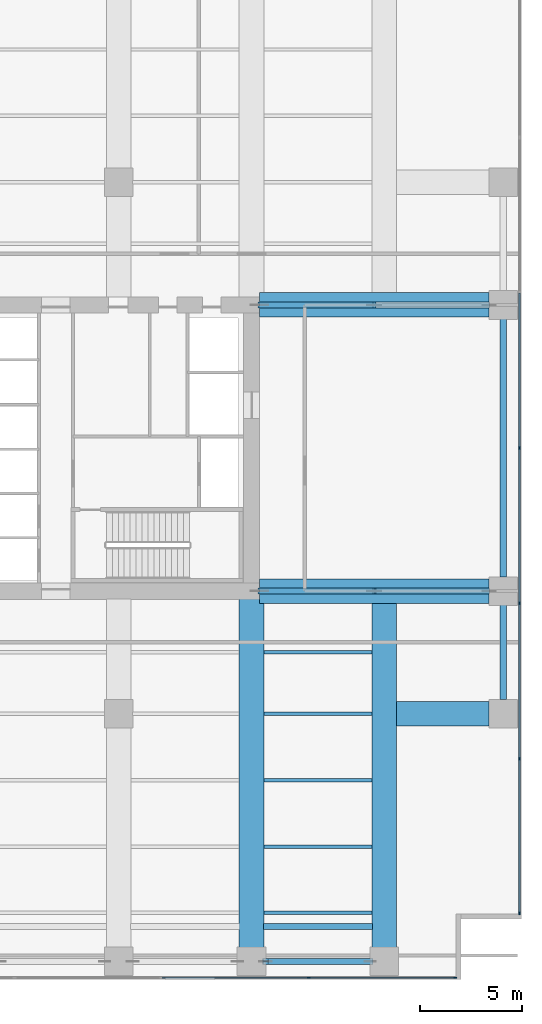
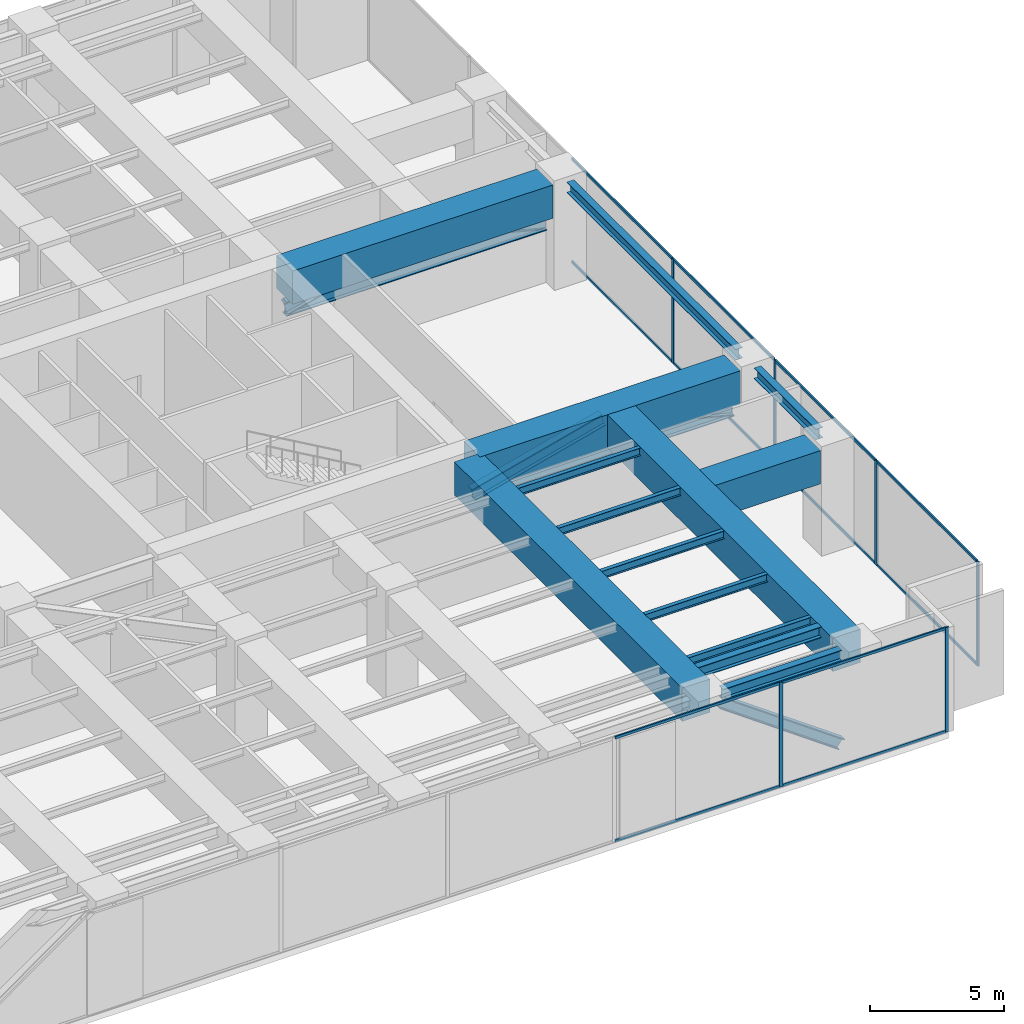
# One storey, part 13 of 31: 24 members, 14 beams, 2 elements without a shape of their own.
"""IFC4 building model written with IfcOpenShell, lengths in metres."""

import ifcopenshell
import ifcopenshell.guid

model = None  # the IFC model being written
_history = None  # IfcOwnerHistory: only IFC2X3 demands one
_inside = {}  # id of a spatial element -> (the spatial element, [elements in it])
_under = {}  # id of a project, library or spatial element -> (it, [spatial elements below it])
_declared = {}  # id of a project -> (the project, [libraries it declares])
_typed = {}  # id of a type object -> (the type object, [elements of that type])
_made_of = {}  # id of a material, layer set ... -> (it, [elements and type objects made of it])


def new_model(schema):
    """Start an empty IFC model of exactly this schema.

    Asked for "IFC4X3", IfcOpenShell would pick the latest addendum, in which some entities
    have other attributes; the version numbers below select the first issue.
    IFC2X3 requires an IfcOwnerHistory on every rooted entity: one is made here for all.
    """
    global model, _history
    if schema == "IFC4X3":
        model = ifcopenshell.file(schema_version=(4, 3, 0, 0))
    else:
        model = ifcopenshell.file(schema=schema)
    _inside.clear()
    _under.clear()
    _declared.clear()
    _typed.clear()
    _made_of.clear()
    _history = None
    if model.schema == "IFC2X3":
        org = make("IfcOrganization", Name="unknown")
        user = make(
            "IfcPersonAndOrganization",
            ThePerson=make("IfcPerson", FamilyName="unknown"),
            TheOrganization=org,
        )
        app = make(
            "IfcApplication",
            ApplicationDeveloper=org,
            Version="unknown",
            ApplicationFullName="unknown",
            ApplicationIdentifier="unknown",
        )
        _history = make(
            "IfcOwnerHistory",
            OwningUser=user,
            OwningApplication=app,
            ChangeAction="ADDED",
            CreationDate=0,
        )
    return model


def make(cls, **values):
    """One entity of the class cls with the attributes given. An attribute that is None is left unset."""
    return model.create_entity(
        cls, **{name: value for name, value in values.items() if value is not None}
    )


def rooted(cls, **values):
    """An entity with a GlobalId (a new one), such as an element, a storey or a relation."""
    return make(cls, GlobalId=ifcopenshell.guid.new(), OwnerHistory=_history, **values)


def si_unit(unit_type, name, prefix=None):
    """IfcSIUnit, for example si_unit("LENGTHUNIT", "METRE", prefix="MILLI")."""
    return make("IfcSIUnit", UnitType=unit_type, Prefix=prefix, Name=name)


def assignment(units):
    """IfcUnitAssignment: the units of a project."""
    return None if units is None else make("IfcUnitAssignment", Units=units)


def point(xyz):
    """IfcCartesianPoint."""
    return None if xyz is None else make("IfcCartesianPoint", Coordinates=xyz)


def direction(xyz):
    """IfcDirection."""
    return None if xyz is None else make("IfcDirection", DirectionRatios=xyz)


def frame(location, z_axis=None, x_axis=None):
    """IfcAxis2Placement3D, a coordinate frame: its origin and axes. An axis left out is left unset."""
    return make(
        "IfcAxis2Placement3D",
        Location=point(location),
        Axis=direction(z_axis),
        RefDirection=direction(x_axis),
    )


def frame_2d(location, x_axis=None):
    """IfcAxis2Placement2D, a coordinate frame in the plane: its origin and x axis."""
    return make(
        "IfcAxis2Placement2D", Location=point(location), RefDirection=direction(x_axis)
    )


def origin():
    """The frame at (0, 0, 0) with its axes left unset."""
    return frame((0.0, 0.0, 0.0))


def origin_2d():
    """The frame at (0, 0) in the plane with its x axis left unset."""
    return frame_2d((0.0, 0.0))


def place(relative_to, where):
    """IfcLocalPlacement: puts the frame where relative to a parent placement (None: the world)."""
    return make(
        "IfcLocalPlacement", PlacementRelTo=relative_to, RelativePlacement=where
    )


def context(
    kind, dimensions, precision=None, world=None, true_north=None, identifier=None
):
    """IfcGeometricRepresentationContext, for example the 3D "Model" context."""
    return make(
        "IfcGeometricRepresentationContext",
        ContextIdentifier=identifier,
        ContextType=kind,
        CoordinateSpaceDimension=dimensions,
        Precision=precision,
        WorldCoordinateSystem=world,
        TrueNorth=true_north,
    )


def subcontext(parent, identifier, kind, view, scale=None):
    """IfcGeometricRepresentationSubContext, for example "Body" below "Model"."""
    return make(
        "IfcGeometricRepresentationSubContext",
        ContextIdentifier=identifier,
        ContextType=kind,
        ParentContext=parent,
        TargetScale=scale,
        TargetView=view,
    )


def project(units=None, contexts=None):
    """IfcProject with its units and contexts."""
    return rooted(
        "IfcProject",
        Name="project",
        RepresentationContexts=contexts,
        UnitsInContext=assignment(units),
    )


def spatial(cls, under=None, at=None, **own):
    """A site, building, storey or space (cls), placed at a placement, below another one or the project."""
    s = rooted(cls, ObjectPlacement=at, **own)
    if under is not None:
        _under.setdefault(under.id(), (under, []))[1].append(s)
    return s


def profile(cls, at=None, kind="AREA", **sizes):
    """A parametric profile (cls). Its sizes go by their IFC names, for example OverallWidth=200.0."""
    return make(cls, ProfileType=kind, Position=at, **sizes)


def rectangle(**sizes):
    """IfcRectangleProfileDef."""
    return profile("IfcRectangleProfileDef", **sizes)


def i_section(**sizes):
    """IfcIShapeProfileDef."""
    return profile("IfcIShapeProfileDef", **sizes)


def extrude(swept, where, along, depth):
    """IfcExtrudedAreaSolid: the profile swept, set in the frame where, extruded along a direction by depth."""
    return make(
        "IfcExtrudedAreaSolid",
        SweptArea=swept,
        Position=where,
        ExtrudedDirection=direction(along),
        Depth=depth,
    )


def shape(context_of_items, identifier, shape_type, items):
    """IfcShapeRepresentation: the items that make up one representation, for example the "Body"."""
    return make(
        "IfcShapeRepresentation",
        ContextOfItems=context_of_items,
        RepresentationIdentifier=identifier,
        RepresentationType=shape_type,
        Items=items,
    )


def material(Name=None, Category=None):
    """IfcMaterial."""
    return make("IfcMaterial", Name=Name, Category=Category)


def layer(
    of_material, thickness, ventilated=None, Name=None, Category=None, Priority=None
):
    """IfcMaterialLayer: one layer of a wall or slab, of a material (None: an air gap)."""
    return make(
        "IfcMaterialLayer",
        Material=of_material,
        LayerThickness=thickness,
        IsVentilated=ventilated,
        Name=Name,
        Category=Category,
        Priority=Priority,
    )


def layer_set(layers, Name=None):
    """IfcMaterialLayerSet."""
    return make("IfcMaterialLayerSet", MaterialLayers=layers, LayerSetName=Name)


def material_profile(
    of_material, cross_section, Name=None, Category=None, Priority=None
):
    """IfcMaterialProfile: a cross section and its material."""
    return make(
        "IfcMaterialProfile",
        Name=Name,
        Material=of_material,
        Profile=cross_section,
        Priority=Priority,
        Category=Category,
    )


def profile_set(profiles, Name=None, composite=None):
    """IfcMaterialProfileSet."""
    return make(
        "IfcMaterialProfileSet",
        Name=Name,
        MaterialProfiles=profiles,
        CompositeProfile=composite,
    )


def made_of(thing, what):
    """Note that an element or type object is made of a material, layer set ...; save() writes the relation."""
    if what is not None:
        _made_of.setdefault(what.id(), (what, []))[1].append(thing)
    return thing


def type_object(cls, material=None, **own):
    """A type object (cls), such as IfcWallType, which elements share."""
    return made_of(rooted(cls, **own), material)


def element(
    cls,
    number,
    at=None,
    inside=None,
    cuts=None,
    type_object=None,
    material=None,
    context=None,
    identifier="Body",
    shape_type=None,
    held_by="IfcProductDefinitionShape",
    body=None,
    shapes=None,
    **own,
):
    """One element of the class cls, such as IfcWall. Its Tag is "e" and its number.

    at: its placement. inside: the storey or other place that contains it. cuts: it is an
    opening in that element (IfcRelVoidsElement). A single representation is given by context,
    identifier, shape_type and body (its items); several are given by shapes. held_by: the class
    of the entity that holds the representations. save() writes the other relations.
    """
    e = rooted(cls, Tag="e%d" % number, ObjectPlacement=at, **own)
    if body is not None:
        shapes = [shape(context, identifier, shape_type, body)]
    if shapes is not None:
        e.Representation = make(held_by, Representations=shapes)
    if inside is not None:
        _inside.setdefault(inside.id(), (inside, []))[1].append(e)
    if cuts is not None:
        rooted(
            "IfcRelVoidsElement", RelatingBuildingElement=cuts, RelatedOpeningElement=e
        )
    if type_object is not None:
        _typed.setdefault(type_object.id(), (type_object, []))[1].append(e)
    return made_of(e, material)


def aggregate(whole, parts):
    """IfcRelAggregates: a whole, such as a stair, and the parts it consists of."""
    return rooted("IfcRelAggregates", RelatingObject=whole, RelatedObjects=parts)


def save(model, path):
    """Write the relations noted so far, then the file.

    IfcRelAggregates (storeys below a building ...), IfcRelContainedInSpatialStructure (elements
    in a storey), IfcRelDefinesByType, IfcRelAssociatesMaterial and IfcRelDeclares: one each for
    every whole, place, type object, material and project.
    """
    for whole, parts in _under.values():
        aggregate(whole, parts)
    for where, things in _inside.values():
        rooted(
            "IfcRelContainedInSpatialStructure",
            RelatedElements=things,
            RelatingStructure=where,
        )
    for kind, things in _typed.values():
        rooted("IfcRelDefinesByType", RelatedObjects=things, RelatingType=kind)
    for what, things in _made_of.values():
        rooted("IfcRelAssociatesMaterial", RelatedObjects=things, RelatingMaterial=what)
    for by, libraries in _declared.values():
        rooted("IfcRelDeclares", RelatingContext=by, RelatedDefinitions=libraries)
    model.write(path)


model = new_model("IFC4")

# Units and contexts
model_context = context("Model", 3, precision=1e-05, world=origin(), true_north=direction((0.0, 1.0)))
body_context = subcontext(model_context, "Body", "Model", "MODEL_VIEW")
ifc_project = project(units=[si_unit("LENGTHUNIT", "METRE"), si_unit("AREAUNIT", "SQUARE_METRE"), si_unit("VOLUMEUNIT", "CUBIC_METRE"), si_unit("PLANEANGLEUNIT", "RADIAN"), si_unit("MASSUNIT", "GRAM", prefix="KILO")], contexts=[model_context])

# Site, building, storey
site_placement = place(None, origin())
site = spatial("IfcSite", under=ifc_project, at=site_placement, CompositionType="ELEMENT")
building_placement = place(site_placement, origin())
building = spatial("IfcBuilding", under=site, at=building_placement, Name="Putna Gate Headquarters", CompositionType="ELEMENT")
storey_placement = place(building_placement, frame((0.0, 0.0, 81.0)))
storey = spatial("IfcBuildingStorey", under=building, at=storey_placement, Name="L19", CompositionType="ELEMENT", Elevation=81.0)

# Beams
ifc_material_1 = material(Name="Steel S355J2", Category="steel")
ifc_material_profile_1 = material_profile(ifc_material_1, i_section(OverallWidth=0.169921875, OverallDepth=0.360107421875, WebThickness=0.008056640625, FlangeThickness=0.0126953125, at=origin_2d()), Name="Steel S355J2")
ifc_profile_set_1 = profile_set([ifc_material_profile_1], Name="Steel S355J2")
beam_type_1 = type_object("IfcBeamType", Name="BM-SEC-Z2-IPE360", PredefinedType="BEAM", material=ifc_profile_set_1)
for number, where, z_axis, x_axis, name in (
    (1, (65.60400390625, 3.25, 4.5849609375), (1.0, 0.0, 0.0), (0.0, 1.0, 0.0), "L19 South Secondary Beam 10"),
    (2, (65.60400390625, 6.5, 4.5849609375), (1.0, 0.0, 0.0), (0.0, 1.0, 0.0), "L19 South Secondary Beam 10"),
    (3, (65.60400390625, 9.75, 4.5849609375), (1.0, 0.0, 0.0), (0.0, 1.0, 0.0), "L19 South Secondary Beam 10"),
    (4, (65.60400390625, 13.0, 4.5849609375), (1.0, 0.0, 0.0), (0.0, 1.0, 0.0), "L19 South Secondary Beam 10"),
    (5, (65.60400390625, 16.0, 4.5849609375), (1.0, 0.0, 0.0), (0.0, 1.0, 0.0), "L19 South Secondary Beam 10"),
):
    element("IfcBeam", number, at=place(storey_placement, frame(where, z_axis=z_axis, x_axis=x_axis)), inside=storey, type_object=beam_type_1, Name=name, PredefinedType="BEAM", context=body_context, shape_type="SweptSolid", body=[
        extrude(i_section(OverallWidth=0.169921875, OverallDepth=0.360107421875, WebThickness=0.008056640625, FlangeThickness=0.0126953125, at=origin_2d()), origin(), (0.0, 0.0, 1.0), 5.2919921875),
    ])
ifc_material_profile_2 = material_profile(ifc_material_1, i_section(OverallWidth=0.300048828125, OverallDepth=0.489990234375, WebThickness=0.011962890625, FlangeThickness=0.02294921875, at=origin_2d()), Name="Steel S355J2")
ifc_profile_set_2 = profile_set([ifc_material_profile_2], Name="Steel S355J2")
beam_type_2 = type_object("IfcBeamType", Name="BM-SPAN-Z2-HEA500", PredefinedType="SPANDREL", material=ifc_profile_set_2)
beam_1_placement = place(storey_placement, frame((65.68798828125, 0.8798828125, 4.52001953125), z_axis=(1.0, 0.0, 0.0), x_axis=(0.0, 1.0, 0.0)))
element("IfcBeam", 6, at=beam_1_placement, inside=storey, type_object=beam_type_2, Name="L19 S Perimeter Spandrel 10", PredefinedType="SPANDREL", context=body_context, shape_type="SweptSolid", body=[
    extrude(i_section(OverallWidth=0.300048828125, OverallDepth=0.489990234375, WebThickness=0.011962890625, FlangeThickness=0.02294921875, at=origin_2d()), origin(), (0.0, 0.0, 1.0), 5.1240234375),
])
beam_2_placement = place(storey_placement, frame((77.320068359375, 13.68798828125, 4.52001953125), z_axis=(0.0, 1.0, 0.0), x_axis=(-1.0, 0.0, 0.0)))
element("IfcBeam", 7, at=beam_2_placement, inside=storey, type_object=beam_type_2, Name="L19 E End Spandrel 1", PredefinedType="SPANDREL", context=body_context, shape_type="SweptSolid", body=[
    extrude(i_section(OverallWidth=0.300048828125, OverallDepth=0.489990234375, WebThickness=0.011962890625, FlangeThickness=0.02294921875, at=origin_2d()), origin(), (0.0, 0.0, 1.0), 4.6240234375),
])
beam_3_placement = place(storey_placement, frame((77.320068359375, 19.68798828125, 4.52001953125), z_axis=(0.0, 1.0, 0.0), x_axis=(-1.0, 0.0, 0.0)))
element("IfcBeam", 8, at=beam_3_placement, inside=storey, type_object=beam_type_2, Name="L19 E End Spandrel 2", PredefinedType="SPANDREL", context=body_context, shape_type="SweptSolid", body=[
    extrude(i_section(OverallWidth=0.300048828125, OverallDepth=0.489990234375, WebThickness=0.011962890625, FlangeThickness=0.02294921875, at=origin_2d()), origin(), (0.0, 0.0, 1.0), 12.6240234375),
])
beam_4_placement = place(storey_placement, frame((65.5849609375, 2.580078125, 4.52001953125), z_axis=(1.0, 0.0, 0.0), x_axis=(0.0, 1.0, 0.0)))
element("IfcBeam", 9, at=beam_4_placement, inside=storey, type_object=beam_type_2, Name="L19 Setback Edge Beam S10", PredefinedType="SPANDREL", context=body_context, shape_type="SweptSolid", body=[
    extrude(i_section(OverallWidth=0.300048828125, OverallDepth=0.489990234375, WebThickness=0.011962890625, FlangeThickness=0.02294921875, at=origin_2d()), origin(), (0.0, 0.0, 1.0), 5.330078125),
])
ifc_material_2 = material(Name="Concrete C50/60", Category="concrete")
ifc_material_profile_3 = material_profile(ifc_material_2, rectangle(XDim=1.199951171875, YDim=1.52001953125, at=origin_2d()), Name="Concrete C50/60")
ifc_profile_set_3 = profile_set([ifc_material_profile_3], Name="Concrete C50/60")
beam_type_3 = type_object("IfcBeamType", Name="BM-TG-RC1520", PredefinedType="USERDEFINED", material=ifc_profile_set_3)
beam_5_placement = place(storey_placement, frame((72.0849609375, 13.0, 4.0048828125), z_axis=(1.0, 0.0, 0.0), x_axis=(0.0, 1.0, 0.0)))
element("IfcBeam", 10, at=beam_5_placement, inside=storey, type_object=beam_type_3, Name="L19 East Wing Girder Y13", ObjectType="GIRDER", PredefinedType="USERDEFINED", context=body_context, shape_type="SweptSolid", body=[
    extrude(rectangle(XDim=1.199951171875, YDim=1.52001953125, at=origin_2d()), origin(), (0.0, 0.0, 1.0), 4.547119140625),
])
for number, where, z_axis, x_axis, name in (
    (11, (65.385009765625, 19.0, 4.0048828125), (1.0, 0.0, 0.0), (0.0, 1.0, 0.0), "L19 East Wing Girder Y19"),
    (12, (65.385009765625, 33.0, 4.0048828125), (1.0, 0.0, 0.0), (0.0, 1.0, 0.0), "L19 East Wing Girder Y33"),
):
    element("IfcBeam", number, at=place(storey_placement, frame(where, z_axis=z_axis, x_axis=x_axis)), inside=storey, type_object=beam_type_3, Name=name, ObjectType="GIRDER", PredefinedType="USERDEFINED", context=body_context, shape_type="SweptSolid", body=[
        extrude(rectangle(XDim=1.199951171875, YDim=1.52001953125, at=origin_2d()), origin(), (0.0, 0.0, 1.0), 11.2470703125),
    ])
beam_6_placement = place(storey_placement, frame((65.0, 1.568115234375, 4.0048828125), z_axis=(0.0, 1.0, 0.0), x_axis=(-1.0, 0.0, 0.0)))
element("IfcBeam", 13, at=beam_6_placement, inside=storey, type_object=beam_type_3, Name="L19 South Primary Girder X65", ObjectType="GIRDER", PredefinedType="USERDEFINED", context=body_context, shape_type="SweptSolid", body=[
    extrude(rectangle(XDim=1.199951171875, YDim=1.52001953125, at=origin_2d()), origin(), (0.0, 0.0, 1.0), 17.046875),
])
beam_7_placement = place(storey_placement, frame((71.5, 1.568115234375, 4.0048828125), z_axis=(0.0, 1.0, 0.0), x_axis=(-1.0, 0.0, 0.0)))
element("IfcBeam", 14, at=beam_7_placement, inside=storey, type_object=beam_type_3, Name="L19 South Primary Girder X71", ObjectType="GIRDER", PredefinedType="USERDEFINED", context=body_context, shape_type="SweptSolid", body=[
    extrude(rectangle(XDim=1.199951171875, YDim=1.52001953125, at=origin_2d()), origin(), (0.0, 0.0, 1.0), 16.846923828125),
])

# Members
ifc_material_3 = material(Name="Steel S460M", Category="steel")
ifc_material_profile_4 = material_profile(ifc_material_3, i_section(OverallWidth=0.306884765625, OverallDepth=0.47802734375, WebThickness=0.02099609375, FlangeThickness=0.0400390625, at=origin_2d()), Name="Steel S460M")
ifc_profile_set_4 = profile_set([ifc_material_profile_4], Name="Steel S460M")
member_type_1 = type_object("IfcMemberType", Name="MEM-BELT-DIAG-HEM450", PredefinedType="BRACE", material=ifc_profile_set_4)
member_1_placement = place(storey_placement, frame((65.68505859375, 0.8798828125, 4.114990234375), z_axis=(0.813670670629, 0.0, -0.581326104487), x_axis=(0.0, 1.0, 0.0)))
element("IfcMember", 15, at=member_1_placement, inside=storey, type_object=member_type_1, Name="L19 Belt Truss Diagonal S10", PredefinedType="BRACE", context=body_context, shape_type="SweptSolid", body=[
    extrude(i_section(OverallWidth=0.306884765625, OverallDepth=0.47802734375, WebThickness=0.02099609375, FlangeThickness=0.0400390625, at=origin_2d()), origin(), (0.0, 0.0, 1.0), 6.3046875),
])
ifc_material_profile_5 = material_profile(ifc_material_3, i_section(OverallWidth=0.304931640625, OverallDepth=0.66796875, WebThickness=0.02099609375, FlangeThickness=0.0400390625, at=origin_2d()), Name="Steel S460M")
ifc_profile_set_5 = profile_set([ifc_material_profile_5], Name="Steel S460M")
member_type_2 = type_object("IfcMemberType", Name="MEM-OUTRIGGER-CHORD-HEM650", PredefinedType="CHORD", material=ifc_profile_set_5)
for number, where, z_axis, x_axis, name in (
    (16, (65.385009765625, 19.0, 2.75), (1.0, 0.0, 0.0), (0.0, 1.0, 0.0), "L19 Outrigger Bottom Chord ES"),
    (17, (65.385009765625, 33.0, 2.75), (1.0, 0.0, 0.0), (0.0, 1.0, 0.0), "L19 Outrigger Bottom Chord EN"),
):
    element("IfcMember", number, at=place(storey_placement, frame(where, z_axis=z_axis, x_axis=x_axis)), inside=storey, type_object=member_type_2, Name=name, PredefinedType="CHORD", context=body_context, shape_type="SweptSolid", body=[
        extrude(i_section(OverallWidth=0.304931640625, OverallDepth=0.66796875, WebThickness=0.02099609375, FlangeThickness=0.0400390625, at=origin_2d()), origin(), (0.0, 0.0, 1.0), 11.25),
    ])
ifc_material_profile_6 = material_profile(ifc_material_3, i_section(OverallWidth=0.305908203125, OverallDepth=0.572021484375, WebThickness=0.02099609375, FlangeThickness=0.0400390625, at=origin_2d()), Name="Steel S460M")
ifc_profile_set_6 = profile_set([ifc_material_profile_6], Name="Steel S460M")
member_type_3 = type_object("IfcMemberType", Name="MEM-OUTRIGGER-DIAG-HEM550", PredefinedType="BRACE", material=ifc_profile_set_6)
for number, where, z_axis, x_axis, name in (
    (18, (65.385009765625, 19.0, 2.75), (0.967713990504, 0.0, 0.252050853169), (0.0, 1.0, 0.0), "L19 Outrigger Truss Brace ES-1"),
    (19, (71.010009765625, 19.0, 4.215087890625), (0.967713990504, 0.0, -0.252050853169), (0.0, 1.0, 0.0), "L19 Outrigger Truss Brace ES-2"),
    (20, (65.385009765625, 33.0, 2.75), (0.967713990504, 0.0, 0.252050853169), (0.0, 1.0, 0.0), "L19 Outrigger Truss Brace EN-1"),
):
    element("IfcMember", number, at=place(storey_placement, frame(where, z_axis=z_axis, x_axis=x_axis)), inside=storey, type_object=member_type_3, Name=name, PredefinedType="BRACE", context=body_context, shape_type="SweptSolid", body=[
        extrude(i_section(OverallWidth=0.305908203125, OverallDepth=0.572021484375, WebThickness=0.02099609375, FlangeThickness=0.0400390625, at=origin_2d()), origin(), (0.0, 0.0, 1.0), 5.812744140625),
    ])

# Curtain wall, members
ifc_material_4 = material(Name="Anodised bronze aluminium curtain wall", Category="aluminium")
ifc_layer = layer(ifc_material_4, 0.159912109375)
ifc_layer_set = layer_set([ifc_layer], Name="Anodised bronze aluminium curtain wall")
curtain_wall_type = type_object("IfcCurtainWallType", Name="CW-SYS-CRN", PredefinedType="USERDEFINED", material=ifc_layer_set)
curtain_wall_1_placement = place(storey_placement, origin())
curtain_wall_1 = element("IfcCurtainWall", 21, at=curtain_wall_1_placement, inside=storey, type_object=curtain_wall_type, Name="L19 Acoustic Louvre South Enclosure", ObjectType="STICK CURTAIN WALL", PredefinedType="USERDEFINED")
ifc_material_5 = material(Name="Anodised bronze aluminium EN AW-6060", Category="aluminium")
ifc_material_profile_7 = material_profile(ifc_material_5, rectangle(XDim=0.06494140625, YDim=0.159912109375, at=origin_2d()), Name="Anodised bronze aluminium EN AW-6060")
ifc_profile_set_7 = profile_set([ifc_material_profile_7], Name="Anodised bronze aluminium EN AW-6060")
member_type_4 = type_object("IfcMemberType", Name="MULL-CWM-CR", PredefinedType="MULLION", material=ifc_profile_set_7)
member_2_placement = place(storey_placement, frame((67.800048828125, 0.080078125, 0.0), z_axis=(0.0, 0.0, 1.0), x_axis=(0.0, 1.0, 0.0)))
member_2 = element("IfcMember", 22, at=member_2_placement, type_object=member_type_4, Name="CWS-CR mullion 10", PredefinedType="MULLION", context=body_context, shape_type="SweptSolid", body=[
    extrude(rectangle(XDim=0.06494140625, YDim=0.159912109375, at=origin_2d()), origin(), (0.0, 0.0, 1.0), 4.764892578125),
])
member_3_placement = place(storey_placement, frame((74.967529296875, 0.080078125, 0.0), z_axis=(0.0, 0.0, 1.0), x_axis=(0.0, 1.0, 0.0)))
member_3 = element("IfcMember", 23, at=member_3_placement, type_object=member_type_4, Name="CWS-CR mullion 11", PredefinedType="MULLION", context=body_context, shape_type="SweptSolid", body=[
    extrude(rectangle(XDim=0.06494140625, YDim=0.159912109375, at=origin_2d()), origin(), (0.0, 0.0, 1.0), 4.764892578125),
])

curtain_wall_2_placement = place(storey_placement, origin())
curtain_wall_2 = element("IfcCurtainWall", 24, at=curtain_wall_2_placement, inside=storey, type_object=curtain_wall_type, Name="L19 Acoustic Louvre East Enclosure", ObjectType="STICK CURTAIN WALL", PredefinedType="USERDEFINED")
member_4_placement = place(storey_placement, frame((78.1201171875, 3.232421875, 0.0), z_axis=(0.0, 0.0, 1.0), x_axis=(-1.0, 0.0, 0.0)))
member_4 = element("IfcMember", 25, at=member_4_placement, type_object=member_type_4, Name="CWS-CR mullion 1", PredefinedType="MULLION", context=body_context, shape_type="SweptSolid", body=[
    extrude(rectangle(XDim=0.06494140625, YDim=0.159912109375, at=origin_2d()), origin(), (0.0, 0.0, 1.0), 4.764892578125),
])
member_5_placement = place(storey_placement, frame((78.1201171875, 10.800048828125, 0.0), z_axis=(0.0, 0.0, 1.0), x_axis=(-1.0, 0.0, 0.0)))
member_5 = element("IfcMember", 26, at=member_5_placement, type_object=member_type_4, Name="CWS-CR mullion 2", PredefinedType="MULLION", context=body_context, shape_type="SweptSolid", body=[
    extrude(rectangle(XDim=0.06494140625, YDim=0.159912109375, at=origin_2d()), origin(), (0.0, 0.0, 1.0), 4.764892578125),
])
member_6_placement = place(storey_placement, frame((78.1201171875, 18.39990234375, 0.0), z_axis=(0.0, 0.0, 1.0), x_axis=(-1.0, 0.0, 0.0)))
member_6 = element("IfcMember", 27, at=member_6_placement, type_object=member_type_4, Name="CWS-CR mullion 3", PredefinedType="MULLION", context=body_context, shape_type="SweptSolid", body=[
    extrude(rectangle(XDim=0.06494140625, YDim=0.159912109375, at=origin_2d()), origin(), (0.0, 0.0, 1.0), 4.764892578125),
])
member_7_placement = place(storey_placement, frame((78.1201171875, 26.0, 0.0), z_axis=(0.0, 0.0, 1.0), x_axis=(-1.0, 0.0, 0.0)))
member_7 = element("IfcMember", 28, at=member_7_placement, type_object=member_type_4, Name="CWS-CR mullion 4", PredefinedType="MULLION", context=body_context, shape_type="SweptSolid", body=[
    extrude(rectangle(XDim=0.06494140625, YDim=0.159912109375, at=origin_2d()), origin(), (0.0, 0.0, 1.0), 4.764892578125),
])

# Member
ifc_material_profile_8 = material_profile(ifc_material_5, rectangle(XDim=0.06494140625, YDim=0.1201171875, at=origin_2d()), Name="Anodised bronze aluminium EN AW-6060")
ifc_profile_set_8 = profile_set([ifc_material_profile_8], Name="Anodised bronze aluminium EN AW-6060")
member_type_5 = type_object("IfcMemberType", Name="TRAN-CWT-CR", PredefinedType="USERDEFINED", material=ifc_profile_set_8)
member_8_placement = place(storey_placement, frame((60.632568359375, 0.080078125, 0.032470703125), z_axis=(1.0, 0.0, 0.0), x_axis=(0.0, 1.0, 0.0)))
member_8 = element("IfcMember", 29, at=member_8_placement, type_object=member_type_5, Name="CWS-CR transom 9.1", ObjectType="TRANSOM", PredefinedType="USERDEFINED", context=body_context, shape_type="SweptSolid", body=[
    extrude(rectangle(XDim=0.06494140625, YDim=0.1201171875, at=origin_2d()), origin(), (0.0, 0.0, 1.0), 7.135009765625),
])

member_9_placement = place(storey_placement, frame((60.632568359375, 0.080078125, 4.732421875), z_axis=(1.0, 0.0, 0.0), x_axis=(0.0, 1.0, 0.0)))
member_9 = element("IfcMember", 30, at=member_9_placement, type_object=member_type_5, Name="CWS-CR transom 9.2", ObjectType="TRANSOM", PredefinedType="USERDEFINED", context=body_context, shape_type="SweptSolid", body=[
    extrude(rectangle(XDim=0.06494140625, YDim=0.1201171875, at=origin_2d()), origin(), (0.0, 0.0, 1.0), 7.135009765625),
])

member_10_placement = place(storey_placement, frame((67.83251953125, 0.080078125, 0.032470703125), z_axis=(1.0, 0.0, 0.0), x_axis=(0.0, 1.0, 0.0)))
member_10 = element("IfcMember", 31, at=member_10_placement, type_object=member_type_5, Name="CWS-CR transom 10.1", ObjectType="TRANSOM", PredefinedType="USERDEFINED", context=body_context, shape_type="SweptSolid", body=[
    extrude(rectangle(XDim=0.06494140625, YDim=0.1201171875, at=origin_2d()), origin(), (0.0, 0.0, 1.0), 7.1025390625),
])

member_11_placement = place(storey_placement, frame((67.83251953125, 0.080078125, 4.732421875), z_axis=(1.0, 0.0, 0.0), x_axis=(0.0, 1.0, 0.0)))
member_11 = element("IfcMember", 32, at=member_11_placement, type_object=member_type_5, Name="CWS-CR transom 10.2", ObjectType="TRANSOM", PredefinedType="USERDEFINED", context=body_context, shape_type="SweptSolid", body=[
    extrude(rectangle(XDim=0.06494140625, YDim=0.1201171875, at=origin_2d()), origin(), (0.0, 0.0, 1.0), 7.1025390625),
])

aggregate(curtain_wall_1, [member_2, member_3, member_8, member_9, member_10, member_11])

member_12_placement = place(storey_placement, frame((78.1201171875, 3.264892578125, 0.032470703125), z_axis=(0.0, 1.0, 0.0), x_axis=(-1.0, 0.0, 0.0)))
member_12 = element("IfcMember", 33, at=member_12_placement, type_object=member_type_5, Name="CWS-CR transom 1.1", ObjectType="TRANSOM", PredefinedType="USERDEFINED", context=body_context, shape_type="SweptSolid", body=[
    extrude(rectangle(XDim=0.06494140625, YDim=0.1201171875, at=origin_2d()), origin(), (0.0, 0.0, 1.0), 7.502685546875),
])

member_13_placement = place(storey_placement, frame((78.1201171875, 3.264892578125, 4.732421875), z_axis=(0.0, 1.0, 0.0), x_axis=(-1.0, 0.0, 0.0)))
member_13 = element("IfcMember", 34, at=member_13_placement, type_object=member_type_5, Name="CWS-CR transom 1.2", ObjectType="TRANSOM", PredefinedType="USERDEFINED", context=body_context, shape_type="SweptSolid", body=[
    extrude(rectangle(XDim=0.06494140625, YDim=0.1201171875, at=origin_2d()), origin(), (0.0, 0.0, 1.0), 7.502685546875),
])

member_14_placement = place(storey_placement, frame((78.1201171875, 10.83251953125, 0.032470703125), z_axis=(0.0, 1.0, 0.0), x_axis=(-1.0, 0.0, 0.0)))
member_14 = element("IfcMember", 35, at=member_14_placement, type_object=member_type_5, Name="CWS-CR transom 2.1", ObjectType="TRANSOM", PredefinedType="USERDEFINED", context=body_context, shape_type="SweptSolid", body=[
    extrude(rectangle(XDim=0.06494140625, YDim=0.1201171875, at=origin_2d()), origin(), (0.0, 0.0, 1.0), 7.534912109375),
])

member_15_placement = place(storey_placement, frame((78.1201171875, 10.83251953125, 4.732421875), z_axis=(0.0, 1.0, 0.0), x_axis=(-1.0, 0.0, 0.0)))
member_15 = element("IfcMember", 36, at=member_15_placement, type_object=member_type_5, Name="CWS-CR transom 2.2", ObjectType="TRANSOM", PredefinedType="USERDEFINED", context=body_context, shape_type="SweptSolid", body=[
    extrude(rectangle(XDim=0.06494140625, YDim=0.1201171875, at=origin_2d()), origin(), (0.0, 0.0, 1.0), 7.534912109375),
])

member_16_placement = place(storey_placement, frame((78.1201171875, 18.4326171875, 0.032470703125), z_axis=(0.0, 1.0, 0.0), x_axis=(-1.0, 0.0, 0.0)))
member_16 = element("IfcMember", 37, at=member_16_placement, type_object=member_type_5, Name="CWS-CR transom 3.1", ObjectType="TRANSOM", PredefinedType="USERDEFINED", context=body_context, shape_type="SweptSolid", body=[
    extrude(rectangle(XDim=0.06494140625, YDim=0.1201171875, at=origin_2d()), origin(), (0.0, 0.0, 1.0), 7.534912109375),
])

member_17_placement = place(storey_placement, frame((78.1201171875, 18.4326171875, 4.732421875), z_axis=(0.0, 1.0, 0.0), x_axis=(-1.0, 0.0, 0.0)))
member_17 = element("IfcMember", 38, at=member_17_placement, type_object=member_type_5, Name="CWS-CR transom 3.2", ObjectType="TRANSOM", PredefinedType="USERDEFINED", context=body_context, shape_type="SweptSolid", body=[
    extrude(rectangle(XDim=0.06494140625, YDim=0.1201171875, at=origin_2d()), origin(), (0.0, 0.0, 1.0), 7.534912109375),
])

member_18_placement = place(storey_placement, frame((78.1201171875, 26.032470703125, 0.032470703125), z_axis=(0.0, 1.0, 0.0), x_axis=(-1.0, 0.0, 0.0)))
member_18 = element("IfcMember", 39, at=member_18_placement, type_object=member_type_5, Name="CWS-CR transom 4.1", ObjectType="TRANSOM", PredefinedType="USERDEFINED", context=body_context, shape_type="SweptSolid", body=[
    extrude(rectangle(XDim=0.06494140625, YDim=0.1201171875, at=origin_2d()), origin(), (0.0, 0.0, 1.0), 7.534912109375),
])

member_19_placement = place(storey_placement, frame((78.1201171875, 26.032470703125, 4.732421875), z_axis=(0.0, 1.0, 0.0), x_axis=(-1.0, 0.0, 0.0)))
member_19 = element("IfcMember", 40, at=member_19_placement, type_object=member_type_5, Name="CWS-CR transom 4.2", ObjectType="TRANSOM", PredefinedType="USERDEFINED", context=body_context, shape_type="SweptSolid", body=[
    extrude(rectangle(XDim=0.06494140625, YDim=0.1201171875, at=origin_2d()), origin(), (0.0, 0.0, 1.0), 7.534912109375),
])

aggregate(curtain_wall_2, [member_4, member_5, member_6, member_7, member_12, member_13, member_14, member_15, member_16, member_17, member_18, member_19])

save(model, "model.ifc")
